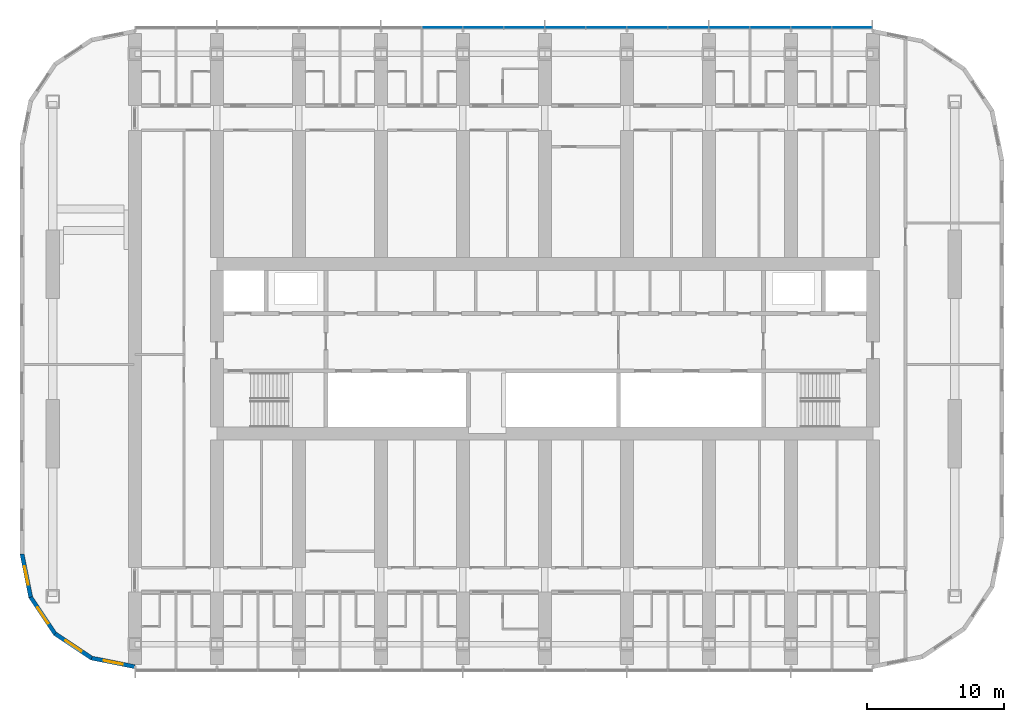
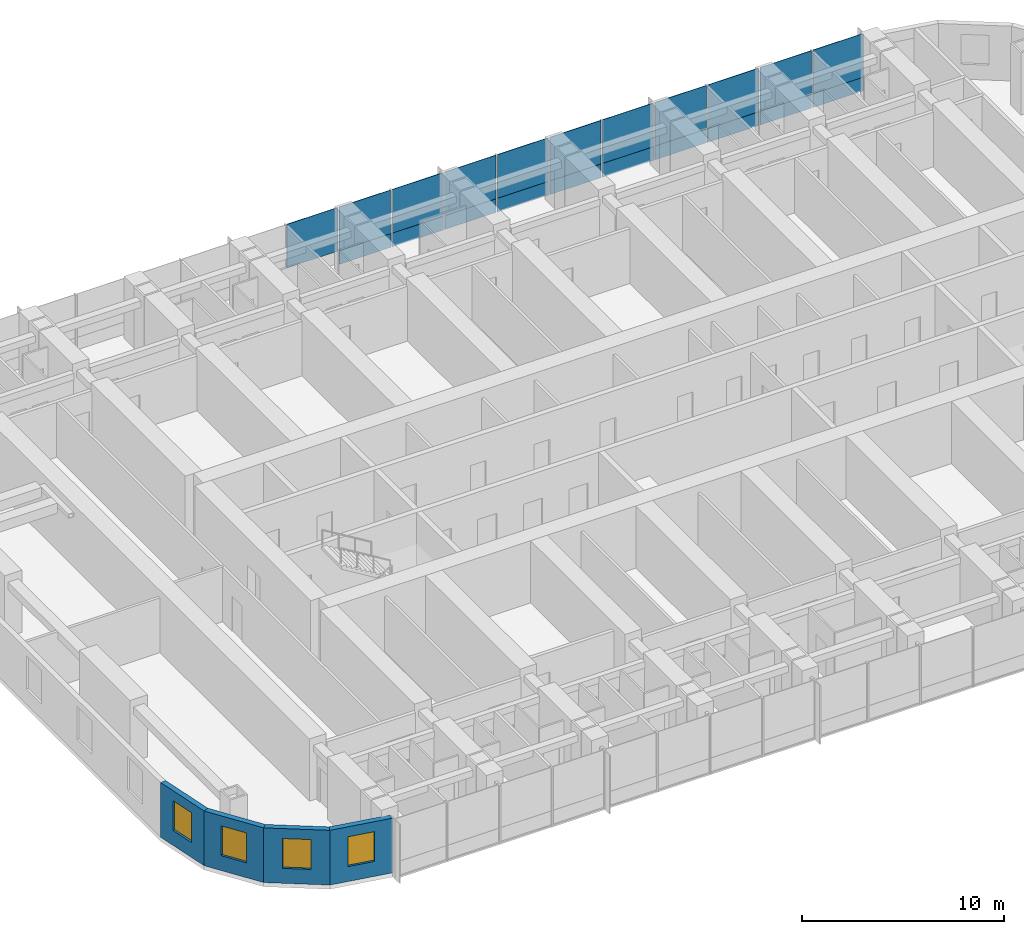
# One storey, part 7 of 22: 21 plates, 4 walls, 4 windows, 4 openings, 1 element without a shape of its own.
"""IFC4 building model written with IfcOpenShell, lengths in metres."""

from ifc_helpers import new_model, si_unit, direction, frame, frame_2d, origin, origin_2d, place, context, subcontext, project, spatial, polyline, rectangle, outline, extrude, material, layer, layer_set, type_object, element, fill, aggregate, save


model = new_model("IFC4")

# Units and contexts
model_context = context("Model", 3, precision=1e-05, world=origin(), true_north=direction((0.0, 1.0)))
body_context = subcontext(model_context, "Body", "Model", "MODEL_VIEW")
ifc_project = project(units=[si_unit("LENGTHUNIT", "METRE"), si_unit("AREAUNIT", "SQUARE_METRE"), si_unit("VOLUMEUNIT", "CUBIC_METRE"), si_unit("PLANEANGLEUNIT", "RADIAN"), si_unit("MASSUNIT", "GRAM", prefix="KILO")], contexts=[model_context])

# Site, building, storey
site_placement = place(None, origin())
site = spatial("IfcSite", under=ifc_project, at=site_placement, CompositionType="ELEMENT")
building_placement = place(site_placement, origin())
building = spatial("IfcBuilding", under=site, at=building_placement, Name="Orbita Commons", CompositionType="ELEMENT")
storey_placement = place(building_placement, frame((0.0, 0.0, 80.64990234375)))
storey = spatial("IfcBuildingStorey", under=building, at=storey_placement, Name="L19", CompositionType="ELEMENT", Elevation=80.64990234375)

# Curtain wall, plates
ifc_material_1 = material(Name="Anodised aluminium frame, pale silver", Category="aluminium")
curtain_wall_type = type_object("IfcCurtainWallType", Name="Unitised curtain wall CW-T, vision and spandrel", PredefinedType="NOTDEFINED", material=ifc_material_1)
curtain_wall_placement = place(storey_placement, origin())
curtain_wall = element("IfcCurtainWall", 1, at=curtain_wall_placement, inside=storey, type_object=curtain_wall_type, Name="Curtain wall north L19", PredefinedType="NOTDEFINED")
ifc_material_2 = material(Name="Anodised aluminium sheet on mineral wool", Category="aluminium")
ifc_layer_1 = layer(ifc_material_2, 0.050048828125)
ifc_layer_set_1 = layer_set([ifc_layer_1], Name="Anodised aluminium sheet on mineral wool")
plate_type_1 = type_object("IfcPlateType", Name="Spandrel panel, pale aluminium over insulation 50", PredefinedType="CURTAIN_PANEL", material=ifc_layer_set_1)
plate_1_placement = place(storey_placement, frame((64.47998046875, 55.510009765625, -0.14990234375), z_axis=(0.0, 0.0, 1.0), x_axis=(-1.0, 0.0, 0.0)))
plate_1 = element("IfcPlate", 2, at=plate_1_placement, type_object=plate_type_1, Name="Panel 1.1 CW-L19-N", PredefinedType="CURTAIN_PANEL", context=body_context, shape_type="SweptSolid", body=[
    extrude(rectangle(XDim=2.8798828125, YDim=0.050048828125, at=origin_2d()), origin(), (0.0, 0.0, 1.0), 0.822998046875),
])
plate_2_placement = place(storey_placement, frame((61.5, 55.510009765625, -0.14990234375), z_axis=(0.0, 0.0, 1.0), x_axis=(-1.0, 0.0, 0.0)))
plate_2 = element("IfcPlate", 3, at=plate_2_placement, type_object=plate_type_1, Name="Panel 2.1 CW-L19-N", PredefinedType="CURTAIN_PANEL", context=body_context, shape_type="SweptSolid", body=[
    extrude(rectangle(XDim=2.919921875, YDim=0.050048828125, at=origin_2d()), origin(), (0.0, 0.0, 1.0), 0.822998046875),
])
plate_3_placement = place(storey_placement, frame((58.5, 55.510009765625, -0.14990234375), z_axis=(0.0, 0.0, 1.0), x_axis=(-1.0, 0.0, 0.0)))
plate_3 = element("IfcPlate", 4, at=plate_3_placement, type_object=plate_type_1, Name="Panel 3.1 CW-L19-N", PredefinedType="CURTAIN_PANEL", context=body_context, shape_type="SweptSolid", body=[
    extrude(rectangle(XDim=2.919921875, YDim=0.050048828125, at=origin_2d()), origin(), (0.0, 0.0, 1.0), 0.822998046875),
])
plate_4_placement = place(storey_placement, frame((55.5, 55.510009765625, -0.14990234375), z_axis=(0.0, 0.0, 1.0), x_axis=(-1.0, 0.0, 0.0)))
plate_4 = element("IfcPlate", 5, at=plate_4_placement, type_object=plate_type_1, Name="Panel 4.1 CW-L19-N", PredefinedType="CURTAIN_PANEL", context=body_context, shape_type="SweptSolid", body=[
    extrude(rectangle(XDim=2.919921875, YDim=0.050048828125, at=origin_2d()), origin(), (0.0, 0.0, 1.0), 0.822998046875),
])
plate_5_placement = place(storey_placement, frame((52.5, 55.510009765625, -0.14990234375), z_axis=(0.0, 0.0, 1.0), x_axis=(-1.0, 0.0, 0.0)))
plate_5 = element("IfcPlate", 6, at=plate_5_placement, type_object=plate_type_1, Name="Panel 5.1 CW-L19-N", PredefinedType="CURTAIN_PANEL", context=body_context, shape_type="SweptSolid", body=[
    extrude(rectangle(XDim=2.919921875, YDim=0.050048828125, at=origin_2d()), origin(), (0.0, 0.0, 1.0), 0.822998046875),
])
plate_6_placement = place(storey_placement, frame((49.5, 55.510009765625, -0.14990234375), z_axis=(0.0, 0.0, 1.0), x_axis=(-1.0, 0.0, 0.0)))
plate_6 = element("IfcPlate", 7, at=plate_6_placement, type_object=plate_type_1, Name="Panel 6.1 CW-L19-N", PredefinedType="CURTAIN_PANEL", context=body_context, shape_type="SweptSolid", body=[
    extrude(rectangle(XDim=2.919921875, YDim=0.050048828125, at=origin_2d()), origin(), (0.0, 0.0, 1.0), 0.822998046875),
])
plate_7_placement = place(storey_placement, frame((46.5, 55.510009765625, -0.14990234375), z_axis=(0.0, 0.0, 1.0), x_axis=(-1.0, 0.0, 0.0)))
plate_7 = element("IfcPlate", 8, at=plate_7_placement, type_object=plate_type_1, Name="Panel 7.1 CW-L19-N", PredefinedType="CURTAIN_PANEL", context=body_context, shape_type="SweptSolid", body=[
    extrude(rectangle(XDim=2.919921875, YDim=0.050048828125, at=origin_2d()), origin(), (0.0, 0.0, 1.0), 0.822998046875),
])
plate_8_placement = place(storey_placement, frame((43.5, 55.510009765625, -0.14990234375), z_axis=(0.0, 0.0, 1.0), x_axis=(-1.0, 0.0, 0.0)))
plate_8 = element("IfcPlate", 9, at=plate_8_placement, type_object=plate_type_1, Name="Panel 8.1 CW-L19-N", PredefinedType="CURTAIN_PANEL", context=body_context, shape_type="SweptSolid", body=[
    extrude(rectangle(XDim=2.919921875, YDim=0.050048828125, at=origin_2d()), origin(), (0.0, 0.0, 1.0), 0.822998046875),
])
plate_9_placement = place(storey_placement, frame((40.5, 55.510009765625, -0.14990234375), z_axis=(0.0, 0.0, 1.0), x_axis=(-1.0, 0.0, 0.0)))
plate_9 = element("IfcPlate", 10, at=plate_9_placement, type_object=plate_type_1, Name="Panel 9.1 CW-L19-N", PredefinedType="CURTAIN_PANEL", context=body_context, shape_type="SweptSolid", body=[
    extrude(rectangle(XDim=2.919921875, YDim=0.050048828125, at=origin_2d()), origin(), (0.0, 0.0, 1.0), 0.822998046875),
])
plate_10_placement = place(storey_placement, frame((37.5, 55.510009765625, -0.14990234375), z_axis=(0.0, 0.0, 1.0), x_axis=(-1.0, 0.0, 0.0)))
plate_10 = element("IfcPlate", 11, at=plate_10_placement, type_object=plate_type_1, Name="Panel 10.1 CW-L19-N", PredefinedType="CURTAIN_PANEL", context=body_context, shape_type="SweptSolid", body=[
    extrude(rectangle(XDim=2.919921875, YDim=0.050048828125, at=origin_2d()), origin(), (0.0, 0.0, 1.0), 0.822998046875),
])
ifc_material_3 = material(Name="Clear double glazing", Category="glass")
ifc_layer_2 = layer(ifc_material_3, 0.031982421875)
ifc_layer_set_2 = layer_set([ifc_layer_2], Name="Clear double glazing")
plate_type_2 = type_object("IfcPlateType", Name="Vision panel, clear double glazing 32", PredefinedType="CURTAIN_PANEL", material=ifc_layer_set_2)
plate_11_placement = place(storey_placement, frame((64.47998046875, 55.510009765625, 0.673095703125), z_axis=(0.0, 0.0, 1.0), x_axis=(-1.0, 0.0, 0.0)))
plate_11 = element("IfcPlate", 12, at=plate_11_placement, type_object=plate_type_2, Name="Panel 1.2 CW-L19-N", PredefinedType="CURTAIN_PANEL", context=body_context, shape_type="SweptSolid", body=[
    extrude(rectangle(XDim=2.8798828125, YDim=0.031982421875, at=origin_2d()), origin(), (0.0, 0.0, 1.0), 2.626953125),
])
plate_12_placement = place(storey_placement, frame((61.5, 55.510009765625, 0.673095703125), z_axis=(0.0, 0.0, 1.0), x_axis=(-1.0, 0.0, 0.0)))
plate_12 = element("IfcPlate", 13, at=plate_12_placement, type_object=plate_type_2, Name="Panel 2.2 CW-L19-N", PredefinedType="CURTAIN_PANEL", context=body_context, shape_type="SweptSolid", body=[
    extrude(rectangle(XDim=2.919921875, YDim=0.031982421875, at=origin_2d()), origin(), (0.0, 0.0, 1.0), 2.626953125),
])
plate_13_placement = place(storey_placement, frame((58.5, 55.510009765625, 0.673095703125), z_axis=(0.0, 0.0, 1.0), x_axis=(-1.0, 0.0, 0.0)))
plate_13 = element("IfcPlate", 14, at=plate_13_placement, type_object=plate_type_2, Name="Panel 3.2 CW-L19-N", PredefinedType="CURTAIN_PANEL", context=body_context, shape_type="SweptSolid", body=[
    extrude(rectangle(XDim=2.919921875, YDim=0.031982421875, at=origin_2d()), origin(), (0.0, 0.0, 1.0), 2.626953125),
])
plate_14_placement = place(storey_placement, frame((55.5, 55.510009765625, 0.673095703125), z_axis=(0.0, 0.0, 1.0), x_axis=(-1.0, 0.0, 0.0)))
plate_14 = element("IfcPlate", 15, at=plate_14_placement, type_object=plate_type_2, Name="Panel 4.2 CW-L19-N", PredefinedType="CURTAIN_PANEL", context=body_context, shape_type="SweptSolid", body=[
    extrude(rectangle(XDim=2.919921875, YDim=0.031982421875, at=origin_2d()), origin(), (0.0, 0.0, 1.0), 2.626953125),
])
plate_15_placement = place(storey_placement, frame((52.5, 55.510009765625, 0.673095703125), z_axis=(0.0, 0.0, 1.0), x_axis=(-1.0, 0.0, 0.0)))
plate_15 = element("IfcPlate", 16, at=plate_15_placement, type_object=plate_type_2, Name="Panel 5.2 CW-L19-N", PredefinedType="CURTAIN_PANEL", context=body_context, shape_type="SweptSolid", body=[
    extrude(rectangle(XDim=2.919921875, YDim=0.031982421875, at=origin_2d()), origin(), (0.0, 0.0, 1.0), 2.626953125),
])
plate_16_placement = place(storey_placement, frame((49.5, 55.510009765625, 0.673095703125), z_axis=(0.0, 0.0, 1.0), x_axis=(-1.0, 0.0, 0.0)))
plate_16 = element("IfcPlate", 17, at=plate_16_placement, type_object=plate_type_2, Name="Panel 6.2 CW-L19-N", PredefinedType="CURTAIN_PANEL", context=body_context, shape_type="SweptSolid", body=[
    extrude(rectangle(XDim=2.919921875, YDim=0.031982421875, at=origin_2d()), origin(), (0.0, 0.0, 1.0), 2.626953125),
])
plate_17_placement = place(storey_placement, frame((46.5, 55.510009765625, 0.673095703125), z_axis=(0.0, 0.0, 1.0), x_axis=(-1.0, 0.0, 0.0)))
plate_17 = element("IfcPlate", 18, at=plate_17_placement, type_object=plate_type_2, Name="Panel 7.2 CW-L19-N", PredefinedType="CURTAIN_PANEL", context=body_context, shape_type="SweptSolid", body=[
    extrude(rectangle(XDim=2.919921875, YDim=0.031982421875, at=origin_2d()), origin(), (0.0, 0.0, 1.0), 2.626953125),
])
plate_18_placement = place(storey_placement, frame((43.5, 55.510009765625, 0.673095703125), z_axis=(0.0, 0.0, 1.0), x_axis=(-1.0, 0.0, 0.0)))
plate_18 = element("IfcPlate", 19, at=plate_18_placement, type_object=plate_type_2, Name="Panel 8.2 CW-L19-N", PredefinedType="CURTAIN_PANEL", context=body_context, shape_type="SweptSolid", body=[
    extrude(rectangle(XDim=2.919921875, YDim=0.031982421875, at=origin_2d()), origin(), (0.0, 0.0, 1.0), 2.626953125),
])
plate_19_placement = place(storey_placement, frame((40.5, 55.510009765625, 0.673095703125), z_axis=(0.0, 0.0, 1.0), x_axis=(-1.0, 0.0, 0.0)))
plate_19 = element("IfcPlate", 20, at=plate_19_placement, type_object=plate_type_2, Name="Panel 9.2 CW-L19-N", PredefinedType="CURTAIN_PANEL", context=body_context, shape_type="SweptSolid", body=[
    extrude(rectangle(XDim=2.919921875, YDim=0.031982421875, at=origin_2d()), origin(), (0.0, 0.0, 1.0), 2.626953125),
])
plate_20_placement = place(storey_placement, frame((37.5, 55.510009765625, 0.673095703125), z_axis=(0.0, 0.0, 1.0), x_axis=(-1.0, 0.0, 0.0)))
plate_20 = element("IfcPlate", 21, at=plate_20_placement, type_object=plate_type_2, Name="Panel 10.2 CW-L19-N", PredefinedType="CURTAIN_PANEL", context=body_context, shape_type="SweptSolid", body=[
    extrude(rectangle(XDim=2.919921875, YDim=0.031982421875, at=origin_2d()), origin(), (0.0, 0.0, 1.0), 2.626953125),
])
plate_21_placement = place(storey_placement, frame((34.5, 55.510009765625, 0.673095703125), z_axis=(0.0, 0.0, 1.0), x_axis=(-1.0, 0.0, 0.0)))
plate_21 = element("IfcPlate", 22, at=plate_21_placement, type_object=plate_type_2, Name="Panel 11.2 CW-L19-N", PredefinedType="CURTAIN_PANEL", context=body_context, shape_type="SweptSolid", body=[
    extrude(rectangle(XDim=2.919921875, YDim=0.031982421875, at=origin_2d()), origin(), (0.0, 0.0, 1.0), 2.626953125),
])
aggregate(curtain_wall, [plate_1, plate_11, plate_2, plate_12, plate_3, plate_13, plate_4, plate_14, plate_5, plate_15, plate_6, plate_16, plate_7, plate_17, plate_8, plate_18, plate_9, plate_19, plate_10, plate_20, plate_21])

# Wall, opening, window
ifc_material_4 = material(Name="Precast concrete C40/50, white board-marked finish", Category="concrete")
ifc_layer_3 = layer(ifc_material_4, 0.300048828125)
ifc_layer_set_3 = layer_set([ifc_layer_3], Name="Precast concrete C40/50, white board-marked finish")
wall_type = type_object("IfcWallType", Name="Precast concrete end shield 300", PredefinedType="SOLIDWALL", material=ifc_layer_set_3)
wall_1_placement = place(storey_placement, frame((3.75, 17.0, 0.0), z_axis=(0.0, 0.0, 1.0), x_axis=(0.195080412259, -0.980787251524, 0.0)))
wall_1 = element("IfcWall", 23, at=wall_1_placement, inside=storey, type_object=wall_type, Name="End shield SW chord 1 L19", PredefinedType="SOLIDWALL", context=body_context, shape_type="SweptSolid", body=[
    extrude(outline(polyline([(-0.014892578125, -0.14990234375), (3.24853515625, -0.14990234375), (3.18896484375, 0.14990234375), (0.014892578125, 0.14990234375), (-0.014892578125, -0.14990234375)])), origin(), (0.0, 0.0, 1.0), 3.300048828125),
])
opening_1_placement = place(wall_1_placement, frame((0.909423828125, 0.0, 0.89990234375)))
opening_1 = element("IfcOpeningElement", 24, at=opening_1_placement, cuts=wall_1, Name="Opening W02", PredefinedType="OPENING", context=body_context, shape_type="SweptSolid", body=[
    extrude(rectangle(XDim=1.39990234375, YDim=1.800048828125, at=frame_2d((0.699951171875, 0.89990234375))), frame((0.0, 0.159912109375, 0.0), z_axis=(0.0, -1.0, 0.0), x_axis=(1.0, 0.0, 0.0)), (0.0, 0.0, 1.0), 0.320068359375),
])
ifc_material_5 = material(Name="Aluminium frame, clear double glazing", Category="aluminium")
window_type = type_object("IfcWindowType", Name="Deep-set window 1400x1800", PartitioningType="SINGLE_PANEL", PredefinedType="WINDOW", material=ifc_material_5)
window_1_placement = place(opening_1_placement, origin())
window_1 = element("IfcWindow", 25, at=window_1_placement, inside=storey, type_object=window_type, Name="Window L19-SW0", OverallHeight=1.800048828125, OverallWidth=1.39990234375, PartitioningType="SINGLE_PANEL", PredefinedType="WINDOW", context=body_context, shape_type="SweptSolid", body=[
    extrude(rectangle(XDim=1.39990234375, YDim=1.800048828125, at=frame_2d((0.699951171875, 0.89990234375))), frame((0.0, 0.030029296875, 0.0), z_axis=(0.0, -1.0, 0.0), x_axis=(1.0, 0.0, 0.0)), (0.0, 0.0, 1.0), 0.06005859375),
])
fill(opening_1, window_1)

wall_2_placement = place(storey_placement, frame((4.3779296875, 13.843017578125, 0.0), z_axis=(0.0, 0.0, 1.0), x_axis=(0.555609954424, -0.831443069936, 0.0)))
wall_2 = element("IfcWall", 26, at=wall_2_placement, inside=storey, type_object=wall_type, Name="End shield SW chord 2 L19", PredefinedType="SOLIDWALL", context=body_context, shape_type="SweptSolid", body=[
    extrude(outline(polyline([(-0.02978515625, -0.14990234375), (3.2490234375, -0.14990234375), (3.189453125, 0.14990234375), (0.02978515625, 0.14990234375), (-0.02978515625, -0.14990234375)])), origin(), (0.0, 0.0, 1.0), 3.300048828125),
])
opening_2_placement = place(wall_2_placement, frame((0.909423828125, 0.0, 0.89990234375)))
opening_2 = element("IfcOpeningElement", 27, at=opening_2_placement, cuts=wall_2, Name="Opening W02", PredefinedType="OPENING", context=body_context, shape_type="SweptSolid", body=[
    extrude(rectangle(XDim=1.39990234375, YDim=1.800048828125, at=frame_2d((0.699951171875, 0.89990234375))), frame((0.0, 0.159912109375, 0.0), z_axis=(0.0, -1.0, 0.0), x_axis=(1.0, 0.0, 0.0)), (0.0, 0.0, 1.0), 0.320068359375),
])
window_2_placement = place(opening_2_placement, origin())
window_2 = element("IfcWindow", 28, at=window_2_placement, inside=storey, type_object=window_type, Name="Window L19-SW1", OverallHeight=1.800048828125, OverallWidth=1.39990234375, PartitioningType="SINGLE_PANEL", PredefinedType="WINDOW", context=body_context, shape_type="SweptSolid", body=[
    extrude(rectangle(XDim=1.39990234375, YDim=1.800048828125, at=frame_2d((0.699951171875, 0.89990234375))), frame((0.0, 0.030029296875, 0.0), z_axis=(0.0, -1.0, 0.0), x_axis=(1.0, 0.0, 0.0)), (0.0, 0.0, 1.0), 0.06005859375),
])
fill(opening_2, window_2)

wall_3_placement = place(storey_placement, frame((6.16650390625, 11.16650390625, 0.0), z_axis=(0.0, 0.0, 1.0), x_axis=(0.831443069936, -0.555609954424, 0.0)))
wall_3 = element("IfcWall", 29, at=wall_3_placement, inside=storey, type_object=wall_type, Name="End shield SW chord 3 L19", PredefinedType="SOLIDWALL", context=body_context, shape_type="SweptSolid", body=[
    extrude(outline(polyline([(-0.02978515625, -0.14990234375), (3.2490234375, -0.14990234375), (3.189453125, 0.14990234375), (0.02978515625, 0.14990234375), (-0.02978515625, -0.14990234375)])), origin(), (0.0, 0.0, 1.0), 3.300048828125),
])
opening_3_placement = place(wall_3_placement, frame((0.909423828125, 0.0, 0.89990234375)))
opening_3 = element("IfcOpeningElement", 30, at=opening_3_placement, cuts=wall_3, Name="Opening W02", PredefinedType="OPENING", context=body_context, shape_type="SweptSolid", body=[
    extrude(rectangle(XDim=1.39990234375, YDim=1.800048828125, at=frame_2d((0.699951171875, 0.89990234375))), frame((0.0, 0.159912109375, 0.0), z_axis=(0.0, -1.0, 0.0), x_axis=(1.0, 0.0, 0.0)), (0.0, 0.0, 1.0), 0.320068359375),
])
window_3_placement = place(opening_3_placement, origin())
window_3 = element("IfcWindow", 31, at=window_3_placement, inside=storey, type_object=window_type, Name="Window L19-SW2", OverallHeight=1.800048828125, OverallWidth=1.39990234375, PartitioningType="SINGLE_PANEL", PredefinedType="WINDOW", context=body_context, shape_type="SweptSolid", body=[
    extrude(rectangle(XDim=1.39990234375, YDim=1.800048828125, at=frame_2d((0.699951171875, 0.89990234375))), frame((0.0, 0.030029296875, 0.0), z_axis=(0.0, -1.0, 0.0), x_axis=(1.0, 0.0, 0.0)), (0.0, 0.0, 1.0), 0.06005859375),
])
fill(opening_3, window_3)

wall_4_placement = place(storey_placement, frame((8.843017578125, 9.3779296875, 0.0), z_axis=(0.0, 0.0, 1.0), x_axis=(0.980787251524, -0.195080412259, 0.0)))
wall_4 = element("IfcWall", 32, at=wall_4_placement, inside=storey, type_object=wall_type, Name="End shield SW chord 4 L19", PredefinedType="SOLIDWALL", context=body_context, shape_type="SweptSolid", body=[
    extrude(outline(polyline([(-0.02978515625, -0.14990234375), (3.24853515625, -0.14990234375), (3.18896484375, 0.14990234375), (0.02978515625, 0.14990234375), (-0.02978515625, -0.14990234375)])), origin(), (0.0, 0.0, 1.0), 3.300048828125),
])
opening_4_placement = place(wall_4_placement, frame((0.909423828125, 0.0, 0.89990234375)))
opening_4 = element("IfcOpeningElement", 33, at=opening_4_placement, cuts=wall_4, Name="Opening W02", PredefinedType="OPENING", context=body_context, shape_type="SweptSolid", body=[
    extrude(rectangle(XDim=1.39990234375, YDim=1.800048828125, at=frame_2d((0.699951171875, 0.89990234375))), frame((0.0, 0.159912109375, 0.0), z_axis=(0.0, -1.0, 0.0), x_axis=(1.0, 0.0, 0.0)), (0.0, 0.0, 1.0), 0.320068359375),
])
window_4_placement = place(opening_4_placement, origin())
window_4 = element("IfcWindow", 34, at=window_4_placement, inside=storey, type_object=window_type, Name="Window L19-SW3", OverallHeight=1.800048828125, OverallWidth=1.39990234375, PartitioningType="SINGLE_PANEL", PredefinedType="WINDOW", context=body_context, shape_type="SweptSolid", body=[
    extrude(rectangle(XDim=1.39990234375, YDim=1.800048828125, at=frame_2d((0.699951171875, 0.89990234375))), frame((0.0, 0.030029296875, 0.0), z_axis=(0.0, -1.0, 0.0), x_axis=(1.0, 0.0, 0.0)), (0.0, 0.0, 1.0), 0.06005859375),
])
fill(opening_4, window_4)

save(model, "model.ifc")
